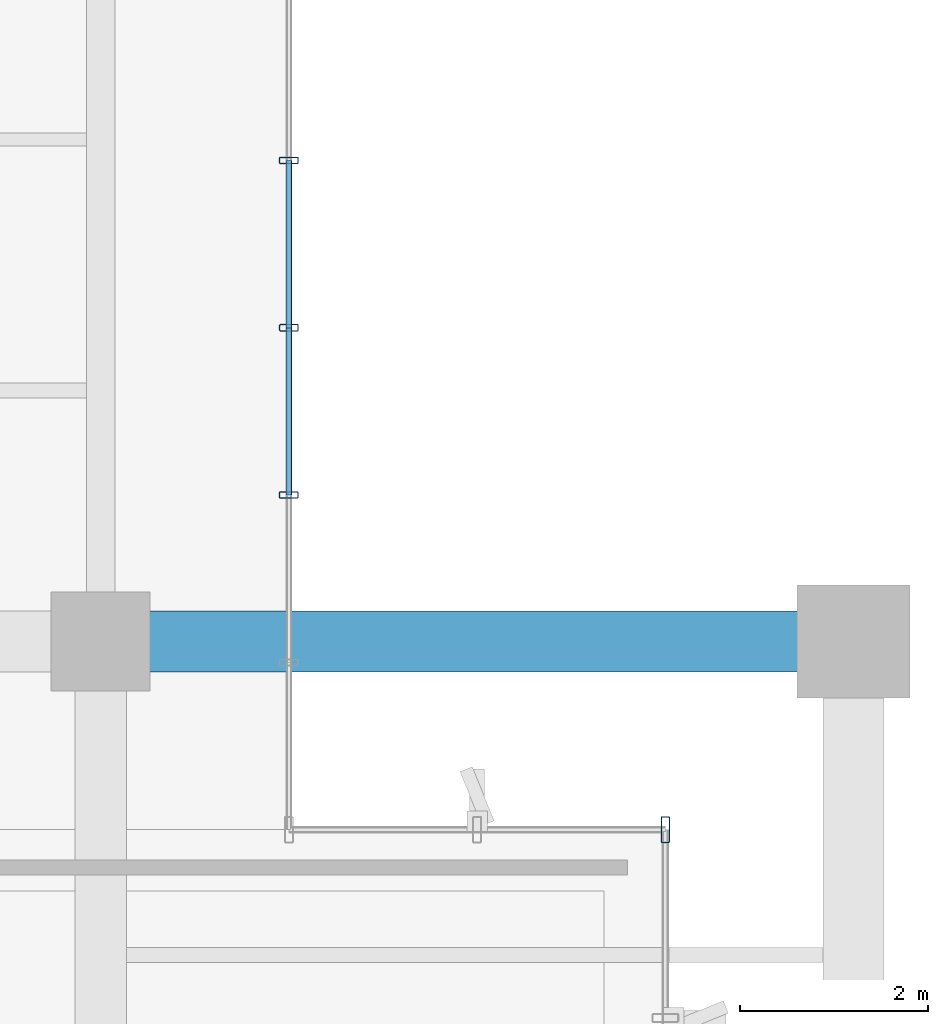
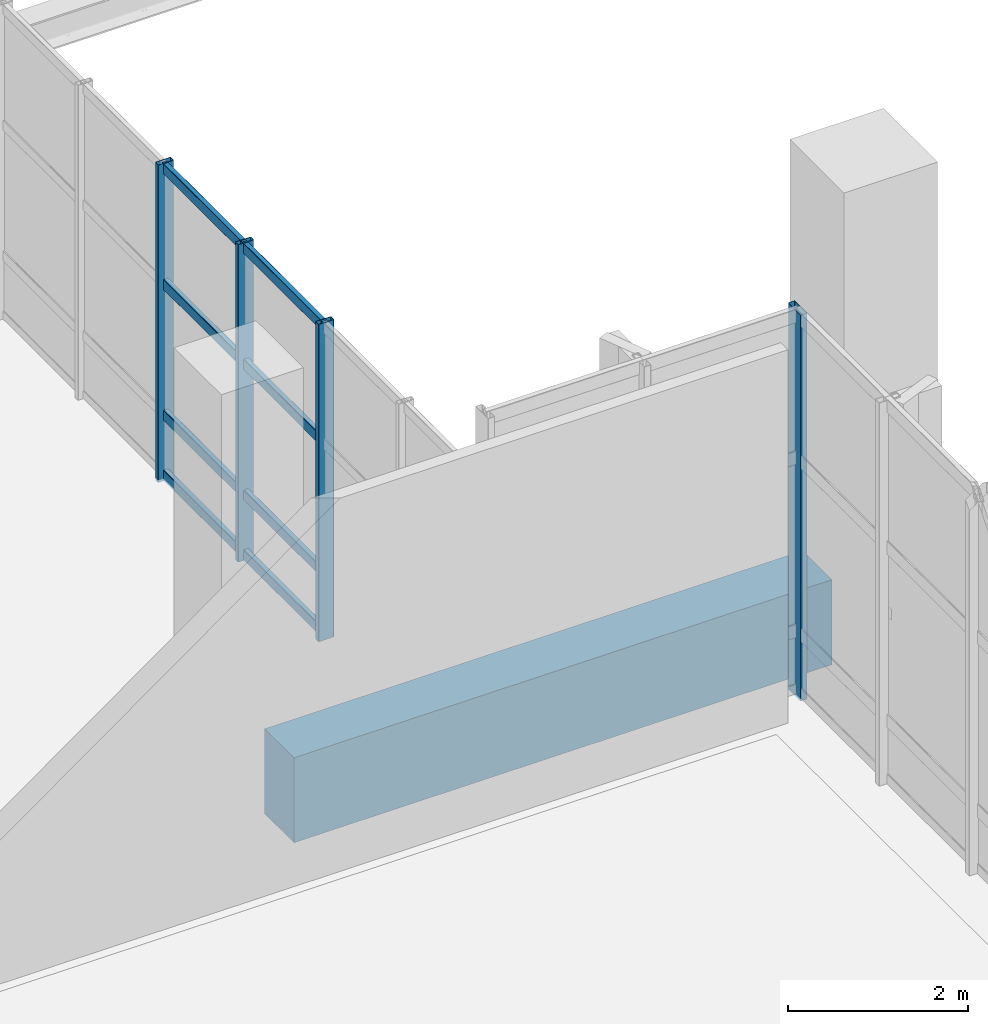
# One storey, part 90 of 176: 12 members, 1 beam, 2 elements without a shape of their own.
"""IFC4 building model written with IfcOpenShell, lengths in metres."""

import ifcopenshell
import ifcopenshell.guid

model = None  # the IFC model being written
_history = None  # IfcOwnerHistory: only IFC2X3 demands one
_inside = {}  # id of a spatial element -> (the spatial element, [elements in it])
_under = {}  # id of a project, library or spatial element -> (it, [spatial elements below it])
_declared = {}  # id of a project -> (the project, [libraries it declares])
_typed = {}  # id of a type object -> (the type object, [elements of that type])
_made_of = {}  # id of a material, layer set ... -> (it, [elements and type objects made of it])


def new_model(schema):
    """Start an empty IFC model of exactly this schema.

    Asked for "IFC4X3", IfcOpenShell would pick the latest addendum, in which some entities
    have other attributes; the version numbers below select the first issue.
    IFC2X3 requires an IfcOwnerHistory on every rooted entity: one is made here for all.
    """
    global model, _history
    if schema == "IFC4X3":
        model = ifcopenshell.file(schema_version=(4, 3, 0, 0))
    else:
        model = ifcopenshell.file(schema=schema)
    _inside.clear()
    _under.clear()
    _declared.clear()
    _typed.clear()
    _made_of.clear()
    _history = None
    if model.schema == "IFC2X3":
        org = make("IfcOrganization", Name="unknown")
        user = make(
            "IfcPersonAndOrganization",
            ThePerson=make("IfcPerson", FamilyName="unknown"),
            TheOrganization=org,
        )
        app = make(
            "IfcApplication",
            ApplicationDeveloper=org,
            Version="unknown",
            ApplicationFullName="unknown",
            ApplicationIdentifier="unknown",
        )
        _history = make(
            "IfcOwnerHistory",
            OwningUser=user,
            OwningApplication=app,
            ChangeAction="ADDED",
            CreationDate=0,
        )
    return model


def make(cls, **values):
    """One entity of the class cls with the attributes given. An attribute that is None is left unset."""
    return model.create_entity(
        cls, **{name: value for name, value in values.items() if value is not None}
    )


def rooted(cls, **values):
    """An entity with a GlobalId (a new one), such as an element, a storey or a relation."""
    return make(cls, GlobalId=ifcopenshell.guid.new(), OwnerHistory=_history, **values)


def si_unit(unit_type, name, prefix=None):
    """IfcSIUnit, for example si_unit("LENGTHUNIT", "METRE", prefix="MILLI")."""
    return make("IfcSIUnit", UnitType=unit_type, Prefix=prefix, Name=name)


def assignment(units):
    """IfcUnitAssignment: the units of a project."""
    return None if units is None else make("IfcUnitAssignment", Units=units)


def point(xyz):
    """IfcCartesianPoint."""
    return None if xyz is None else make("IfcCartesianPoint", Coordinates=xyz)


def direction(xyz):
    """IfcDirection."""
    return None if xyz is None else make("IfcDirection", DirectionRatios=xyz)


def frame(location, z_axis=None, x_axis=None):
    """IfcAxis2Placement3D, a coordinate frame: its origin and axes. An axis left out is left unset."""
    return make(
        "IfcAxis2Placement3D",
        Location=point(location),
        Axis=direction(z_axis),
        RefDirection=direction(x_axis),
    )


def frame_2d(location, x_axis=None):
    """IfcAxis2Placement2D, a coordinate frame in the plane: its origin and x axis."""
    return make(
        "IfcAxis2Placement2D", Location=point(location), RefDirection=direction(x_axis)
    )


def origin():
    """The frame at (0, 0, 0) with its axes left unset."""
    return frame((0.0, 0.0, 0.0))


def origin_2d():
    """The frame at (0, 0) in the plane with its x axis left unset."""
    return frame_2d((0.0, 0.0))


def place(relative_to, where):
    """IfcLocalPlacement: puts the frame where relative to a parent placement (None: the world)."""
    return make(
        "IfcLocalPlacement", PlacementRelTo=relative_to, RelativePlacement=where
    )


def context(
    kind, dimensions, precision=None, world=None, true_north=None, identifier=None
):
    """IfcGeometricRepresentationContext, for example the 3D "Model" context."""
    return make(
        "IfcGeometricRepresentationContext",
        ContextIdentifier=identifier,
        ContextType=kind,
        CoordinateSpaceDimension=dimensions,
        Precision=precision,
        WorldCoordinateSystem=world,
        TrueNorth=true_north,
    )


def subcontext(parent, identifier, kind, view, scale=None):
    """IfcGeometricRepresentationSubContext, for example "Body" below "Model"."""
    return make(
        "IfcGeometricRepresentationSubContext",
        ContextIdentifier=identifier,
        ContextType=kind,
        ParentContext=parent,
        TargetScale=scale,
        TargetView=view,
    )


def project(units=None, contexts=None):
    """IfcProject with its units and contexts."""
    return rooted(
        "IfcProject",
        Name="project",
        RepresentationContexts=contexts,
        UnitsInContext=assignment(units),
    )


def spatial(cls, under=None, at=None, **own):
    """A site, building, storey or space (cls), placed at a placement, below another one or the project."""
    s = rooted(cls, ObjectPlacement=at, **own)
    if under is not None:
        _under.setdefault(under.id(), (under, []))[1].append(s)
    return s


def profile(cls, at=None, kind="AREA", **sizes):
    """A parametric profile (cls). Its sizes go by their IFC names, for example OverallWidth=200.0."""
    return make(cls, ProfileType=kind, Position=at, **sizes)


def rectangle(**sizes):
    """IfcRectangleProfileDef."""
    return profile("IfcRectangleProfileDef", **sizes)


def hollow_rectangle(**sizes):
    """IfcRectangleHollowProfileDef."""
    return profile("IfcRectangleHollowProfileDef", **sizes)


def extrude(swept, where, along, depth):
    """IfcExtrudedAreaSolid: the profile swept, set in the frame where, extruded along a direction by depth."""
    return make(
        "IfcExtrudedAreaSolid",
        SweptArea=swept,
        Position=where,
        ExtrudedDirection=direction(along),
        Depth=depth,
    )


def shape(context_of_items, identifier, shape_type, items):
    """IfcShapeRepresentation: the items that make up one representation, for example the "Body"."""
    return make(
        "IfcShapeRepresentation",
        ContextOfItems=context_of_items,
        RepresentationIdentifier=identifier,
        RepresentationType=shape_type,
        Items=items,
    )


def material(Name=None, Category=None):
    """IfcMaterial."""
    return make("IfcMaterial", Name=Name, Category=Category)


def layer(
    of_material, thickness, ventilated=None, Name=None, Category=None, Priority=None
):
    """IfcMaterialLayer: one layer of a wall or slab, of a material (None: an air gap)."""
    return make(
        "IfcMaterialLayer",
        Material=of_material,
        LayerThickness=thickness,
        IsVentilated=ventilated,
        Name=Name,
        Category=Category,
        Priority=Priority,
    )


def layer_set(layers, Name=None):
    """IfcMaterialLayerSet."""
    return make("IfcMaterialLayerSet", MaterialLayers=layers, LayerSetName=Name)


def material_profile(
    of_material, cross_section, Name=None, Category=None, Priority=None
):
    """IfcMaterialProfile: a cross section and its material."""
    return make(
        "IfcMaterialProfile",
        Name=Name,
        Material=of_material,
        Profile=cross_section,
        Priority=Priority,
        Category=Category,
    )


def profile_set(profiles, Name=None, composite=None):
    """IfcMaterialProfileSet."""
    return make(
        "IfcMaterialProfileSet",
        Name=Name,
        MaterialProfiles=profiles,
        CompositeProfile=composite,
    )


def made_of(thing, what):
    """Note that an element or type object is made of a material, layer set ...; save() writes the relation."""
    if what is not None:
        _made_of.setdefault(what.id(), (what, []))[1].append(thing)
    return thing


def type_object(cls, material=None, **own):
    """A type object (cls), such as IfcWallType, which elements share."""
    return made_of(rooted(cls, **own), material)


def element(
    cls,
    number,
    at=None,
    inside=None,
    cuts=None,
    type_object=None,
    material=None,
    context=None,
    identifier="Body",
    shape_type=None,
    held_by="IfcProductDefinitionShape",
    body=None,
    shapes=None,
    **own,
):
    """One element of the class cls, such as IfcWall. Its Tag is "e" and its number.

    at: its placement. inside: the storey or other place that contains it. cuts: it is an
    opening in that element (IfcRelVoidsElement). A single representation is given by context,
    identifier, shape_type and body (its items); several are given by shapes. held_by: the class
    of the entity that holds the representations. save() writes the other relations.
    """
    e = rooted(cls, Tag="e%d" % number, ObjectPlacement=at, **own)
    if body is not None:
        shapes = [shape(context, identifier, shape_type, body)]
    if shapes is not None:
        e.Representation = make(held_by, Representations=shapes)
    if inside is not None:
        _inside.setdefault(inside.id(), (inside, []))[1].append(e)
    if cuts is not None:
        rooted(
            "IfcRelVoidsElement", RelatingBuildingElement=cuts, RelatedOpeningElement=e
        )
    if type_object is not None:
        _typed.setdefault(type_object.id(), (type_object, []))[1].append(e)
    return made_of(e, material)


def aggregate(whole, parts):
    """IfcRelAggregates: a whole, such as a stair, and the parts it consists of."""
    return rooted("IfcRelAggregates", RelatingObject=whole, RelatedObjects=parts)


def save(model, path):
    """Write the relations noted so far, then the file.

    IfcRelAggregates (storeys below a building ...), IfcRelContainedInSpatialStructure (elements
    in a storey), IfcRelDefinesByType, IfcRelAssociatesMaterial and IfcRelDeclares: one each for
    every whole, place, type object, material and project.
    """
    for whole, parts in _under.values():
        aggregate(whole, parts)
    for where, things in _inside.values():
        rooted(
            "IfcRelContainedInSpatialStructure",
            RelatedElements=things,
            RelatingStructure=where,
        )
    for kind, things in _typed.values():
        rooted("IfcRelDefinesByType", RelatedObjects=things, RelatingType=kind)
    for what, things in _made_of.values():
        rooted("IfcRelAssociatesMaterial", RelatedObjects=things, RelatingMaterial=what)
    for by, libraries in _declared.values():
        rooted("IfcRelDeclares", RelatingContext=by, RelatedDefinitions=libraries)
    model.write(path)


model = new_model("IFC4")

# Units and contexts
model_context = context("Model", 3, precision=1e-05, world=origin(), true_north=direction((0.0, 1.0)))
body_context = subcontext(model_context, "Body", "Model", "MODEL_VIEW")
ifc_project = project(units=[si_unit("LENGTHUNIT", "METRE"), si_unit("AREAUNIT", "SQUARE_METRE"), si_unit("VOLUMEUNIT", "CUBIC_METRE"), si_unit("PLANEANGLEUNIT", "RADIAN"), si_unit("MASSUNIT", "GRAM", prefix="KILO")], contexts=[model_context])

# Site, building, storey
site_placement = place(None, origin())
site = spatial("IfcSite", under=ifc_project, at=site_placement, CompositionType="ELEMENT")
building_placement = place(site_placement, origin())
building = spatial("IfcBuilding", under=site, at=building_placement, Name="Khorjan Park Terminus", CompositionType="ELEMENT")
storey_placement = place(building_placement, frame((0.0, 0.0, 6.0)))
storey = spatial("IfcBuildingStorey", under=building, at=storey_placement, Name="L01", CompositionType="ELEMENT", Elevation=6.0)

# Curtain wall, members
ifc_material_1 = material(Name="Anodized Bronze Aluminium", Category="aluminium")
ifc_layer_1 = layer(ifc_material_1, 0.22)
ifc_layer_set_1 = layer_set([ifc_layer_1], Name="Anodized Bronze Aluminium")
curtain_wall_type_1 = type_object("IfcCurtainWallType", Name="CW-BRG-D", PredefinedType="NOTDEFINED", material=ifc_layer_set_1)
curtain_wall_1_placement = place(storey_placement, origin())
curtain_wall_1 = element("IfcCurtainWall", 1, at=curtain_wall_1_placement, inside=storey, type_object=curtain_wall_type_1, Name="Unitized curtain wall CW-D (CW-NKE-E-L01)", PredefinedType="NOTDEFINED")
ifc_material_profile_1 = material_profile(ifc_material_1, hollow_rectangle(XDim=0.07, YDim=0.2, WallThickness=0.005, InnerFilletRadius=0.005, OuterFilletRadius=0.01, at=origin_2d()), Name="ALM 70x200x5")
ifc_profile_set_1 = profile_set([ifc_material_profile_1], Name="Anodized Bronze Aluminium")
member_type_1 = type_object("IfcMemberType", Name="ML-ALM-200", PredefinedType="MULLION", material=ifc_profile_set_1)
member_1_placement = place(storey_placement, frame((130.0, 89.5556, -0.035), z_axis=(0.0, 0.0, 1.0), x_axis=(0.0, 1.0, 0.0)))
member_1 = element("IfcMember", 2, at=member_1_placement, type_object=member_type_1, Name="Curtain-wall mullion ML-20 (CW-NKE-E-L01-2)", PredefinedType="MULLION", context=body_context, shape_type="SweptSolid", body=[
    extrude(hollow_rectangle(XDim=0.07, YDim=0.2, WallThickness=0.005, InnerFilletRadius=0.005, OuterFilletRadius=0.01, at=origin_2d()), origin(), (0.0, 0.0, 1.0), 4.295),
])
member_2_placement = place(storey_placement, frame((130.0, 91.3333, -0.035), z_axis=(0.0, 0.0, 1.0), x_axis=(0.0, 1.0, 0.0)))
member_2 = element("IfcMember", 3, at=member_2_placement, type_object=member_type_1, Name="Curtain-wall mullion ML-20 (CW-NKE-E-L01-3)", PredefinedType="MULLION", context=body_context, shape_type="SweptSolid", body=[
    extrude(hollow_rectangle(XDim=0.07, YDim=0.2, WallThickness=0.005, InnerFilletRadius=0.005, OuterFilletRadius=0.01, at=origin_2d()), origin(), (0.0, 0.0, 1.0), 4.295),
])
member_3_placement = place(storey_placement, frame((130.0, 93.1111, -0.035), z_axis=(0.0, 0.0, 1.0), x_axis=(0.0, 1.0, 0.0)))
member_3 = element("IfcMember", 4, at=member_3_placement, type_object=member_type_1, Name="Curtain-wall mullion ML-20 (CW-NKE-E-L01-4)", PredefinedType="MULLION", context=body_context, shape_type="SweptSolid", body=[
    extrude(hollow_rectangle(XDim=0.07, YDim=0.2, WallThickness=0.005, InnerFilletRadius=0.005, OuterFilletRadius=0.01, at=origin_2d()), origin(), (0.0, 0.0, 1.0), 4.295),
])

# Curtain wall, member
ifc_layer_2 = layer(ifc_material_1, 0.22)
ifc_layer_set_2 = layer_set([ifc_layer_2], Name="Anodized Bronze Aluminium")
curtain_wall_type_2 = type_object("IfcCurtainWallType", Name="CW-CONC-A", PredefinedType="NOTDEFINED", material=ifc_layer_set_2)
curtain_wall_2_placement = place(storey_placement, origin())
curtain_wall_2 = element("IfcCurtainWall", 5, at=curtain_wall_2_placement, inside=storey, type_object=curtain_wall_type_2, Name="Unitized curtain wall CW-A (CW-V2-N-L01-08)", PredefinedType="NOTDEFINED")
ifc_material_profile_2 = material_profile(ifc_material_1, hollow_rectangle(XDim=0.09, YDim=0.28, WallThickness=0.006, InnerFilletRadius=0.006, OuterFilletRadius=0.012, at=origin_2d()), Name="ALM 90x280x6")
ifc_profile_set_2 = profile_set([ifc_material_profile_2], Name="Anodized Bronze Aluminium")
member_type_2 = type_object("IfcMemberType", Name="ML-ALM-280", PredefinedType="MULLION", material=ifc_profile_set_2)
member_4_placement = place(storey_placement, frame((134.0, 86.0, -0.035), z_axis=(0.0, 0.0, 1.0), x_axis=(-1.0, 0.0, 0.0)))
member_4 = element("IfcMember", 6, at=member_4_placement, type_object=member_type_2, Name="Curtain-wall mullion ML-28 (CW-V2-N-L01-08-0)", PredefinedType="MULLION", context=body_context, shape_type="SweptSolid", body=[
    extrude(hollow_rectangle(XDim=0.09, YDim=0.28, WallThickness=0.006, InnerFilletRadius=0.006, OuterFilletRadius=0.012, at=origin_2d()), origin(), (0.0, 0.0, 1.0), 5.22),
])
aggregate(curtain_wall_2, [member_4])

# Beam
ifc_material_2 = material(Name="Concrete C50/60", Category="concrete")
ifc_material_profile_3 = material_profile(ifc_material_2, rectangle(XDim=0.65, YDim=1.15, at=origin_2d()), Name="RC 650x1150")
ifc_profile_set_3 = profile_set([ifc_material_profile_3], Name="Concrete C50/60")
beam_type = type_object("IfcBeamType", Name="SP-RC650x1150", PredefinedType="SPANDREL", material=ifc_profile_set_3)
beam_placement = place(storey_placement, frame((128.52, 88.0, -0.575), z_axis=(1.0, 0.0, 0.0), x_axis=(0.0, 1.0, 0.0)))
element("IfcBeam", 7, at=beam_placement, inside=storey, type_object=beam_type, Name="Concourse lower colonnade ring beam SP-11 (L01-22)", PredefinedType="SPANDREL", context=body_context, shape_type="SweptSolid", body=[
    extrude(rectangle(XDim=0.65, YDim=1.15, at=origin_2d()), origin(), (0.0, 0.0, 1.0), 6.885),
])

# Member
ifc_material_profile_4 = material_profile(ifc_material_1, hollow_rectangle(XDim=0.065, YDim=0.14, WallThickness=0.004, InnerFilletRadius=0.004, OuterFilletRadius=0.008, at=origin_2d()), Name="ALT 65x140x4")
ifc_profile_set_4 = profile_set([ifc_material_profile_4], Name="Anodized Bronze Aluminium")
member_type_3 = type_object("IfcMemberType", Name="TR-ALT-140", PredefinedType="USERDEFINED", material=ifc_profile_set_4)
member_5_placement = place(storey_placement, frame((130.0, 89.5556, 0.04), z_axis=(0.0, 1.0, 0.0), x_axis=(-1.0, 0.0, 0.0)))
member_5 = element("IfcMember", 8, at=member_5_placement, type_object=member_type_3, Name="Curtain-wall transom TR-14 (CW-NKE-E-L01-2-1)", ObjectType="TRANSOM", PredefinedType="USERDEFINED", context=body_context, shape_type="SweptSolid", body=[
    extrude(hollow_rectangle(XDim=0.065, YDim=0.14, WallThickness=0.004, InnerFilletRadius=0.004, OuterFilletRadius=0.008, at=origin_2d()), origin(), (0.0, 0.0, 1.0), 1.7777),
])

member_6_placement = place(storey_placement, frame((130.0, 89.5556, 0.85), z_axis=(0.0, 1.0, 0.0), x_axis=(-1.0, 0.0, 0.0)))
member_6 = element("IfcMember", 9, at=member_6_placement, type_object=member_type_3, Name="Curtain-wall transom TR-14 (CW-NKE-E-L01-2-2)", ObjectType="TRANSOM", PredefinedType="USERDEFINED", context=body_context, shape_type="SweptSolid", body=[
    extrude(hollow_rectangle(XDim=0.065, YDim=0.14, WallThickness=0.004, InnerFilletRadius=0.004, OuterFilletRadius=0.008, at=origin_2d()), origin(), (0.0, 0.0, 1.0), 1.7777),
])

member_7_placement = place(storey_placement, frame((130.0, 89.5556, 2.6195), z_axis=(0.0, 1.0, 0.0), x_axis=(-1.0, 0.0, 0.0)))
member_7 = element("IfcMember", 10, at=member_7_placement, type_object=member_type_3, Name="Curtain-wall transom TR-14 (CW-NKE-E-L01-2-3)", ObjectType="TRANSOM", PredefinedType="USERDEFINED", context=body_context, shape_type="SweptSolid", body=[
    extrude(hollow_rectangle(XDim=0.065, YDim=0.14, WallThickness=0.004, InnerFilletRadius=0.004, OuterFilletRadius=0.008, at=origin_2d()), origin(), (0.0, 0.0, 1.0), 1.7777),
])

member_8_placement = place(storey_placement, frame((130.0, 89.5556, 4.185), z_axis=(0.0, 1.0, 0.0), x_axis=(-1.0, 0.0, 0.0)))
member_8 = element("IfcMember", 11, at=member_8_placement, type_object=member_type_3, Name="Curtain-wall transom TR-14 (CW-NKE-E-L01-2-4)", ObjectType="TRANSOM", PredefinedType="USERDEFINED", context=body_context, shape_type="SweptSolid", body=[
    extrude(hollow_rectangle(XDim=0.065, YDim=0.14, WallThickness=0.004, InnerFilletRadius=0.004, OuterFilletRadius=0.008, at=origin_2d()), origin(), (0.0, 0.0, 1.0), 1.7777),
])

member_9_placement = place(storey_placement, frame((130.0, 91.3333, 0.04), z_axis=(0.0, 1.0, 0.0), x_axis=(-1.0, 0.0, 0.0)))
member_9 = element("IfcMember", 12, at=member_9_placement, type_object=member_type_3, Name="Curtain-wall transom TR-14 (CW-NKE-E-L01-3-1)", ObjectType="TRANSOM", PredefinedType="USERDEFINED", context=body_context, shape_type="SweptSolid", body=[
    extrude(hollow_rectangle(XDim=0.065, YDim=0.14, WallThickness=0.004, InnerFilletRadius=0.004, OuterFilletRadius=0.008, at=origin_2d()), origin(), (0.0, 0.0, 1.0), 1.7778),
])

member_10_placement = place(storey_placement, frame((130.0, 91.3333, 0.85), z_axis=(0.0, 1.0, 0.0), x_axis=(-1.0, 0.0, 0.0)))
member_10 = element("IfcMember", 13, at=member_10_placement, type_object=member_type_3, Name="Curtain-wall transom TR-14 (CW-NKE-E-L01-3-2)", ObjectType="TRANSOM", PredefinedType="USERDEFINED", context=body_context, shape_type="SweptSolid", body=[
    extrude(hollow_rectangle(XDim=0.065, YDim=0.14, WallThickness=0.004, InnerFilletRadius=0.004, OuterFilletRadius=0.008, at=origin_2d()), origin(), (0.0, 0.0, 1.0), 1.7778),
])

member_11_placement = place(storey_placement, frame((130.0, 91.3333, 2.6195), z_axis=(0.0, 1.0, 0.0), x_axis=(-1.0, 0.0, 0.0)))
member_11 = element("IfcMember", 14, at=member_11_placement, type_object=member_type_3, Name="Curtain-wall transom TR-14 (CW-NKE-E-L01-3-3)", ObjectType="TRANSOM", PredefinedType="USERDEFINED", context=body_context, shape_type="SweptSolid", body=[
    extrude(hollow_rectangle(XDim=0.065, YDim=0.14, WallThickness=0.004, InnerFilletRadius=0.004, OuterFilletRadius=0.008, at=origin_2d()), origin(), (0.0, 0.0, 1.0), 1.7778),
])

member_12_placement = place(storey_placement, frame((130.0, 91.3333, 4.185), z_axis=(0.0, 1.0, 0.0), x_axis=(-1.0, 0.0, 0.0)))
member_12 = element("IfcMember", 15, at=member_12_placement, type_object=member_type_3, Name="Curtain-wall transom TR-14 (CW-NKE-E-L01-3-4)", ObjectType="TRANSOM", PredefinedType="USERDEFINED", context=body_context, shape_type="SweptSolid", body=[
    extrude(hollow_rectangle(XDim=0.065, YDim=0.14, WallThickness=0.004, InnerFilletRadius=0.004, OuterFilletRadius=0.008, at=origin_2d()), origin(), (0.0, 0.0, 1.0), 1.7778),
])

aggregate(curtain_wall_1, [member_1, member_2, member_3, member_5, member_6, member_7, member_8, member_9, member_10, member_11, member_12])

save(model, "model.ifc")
